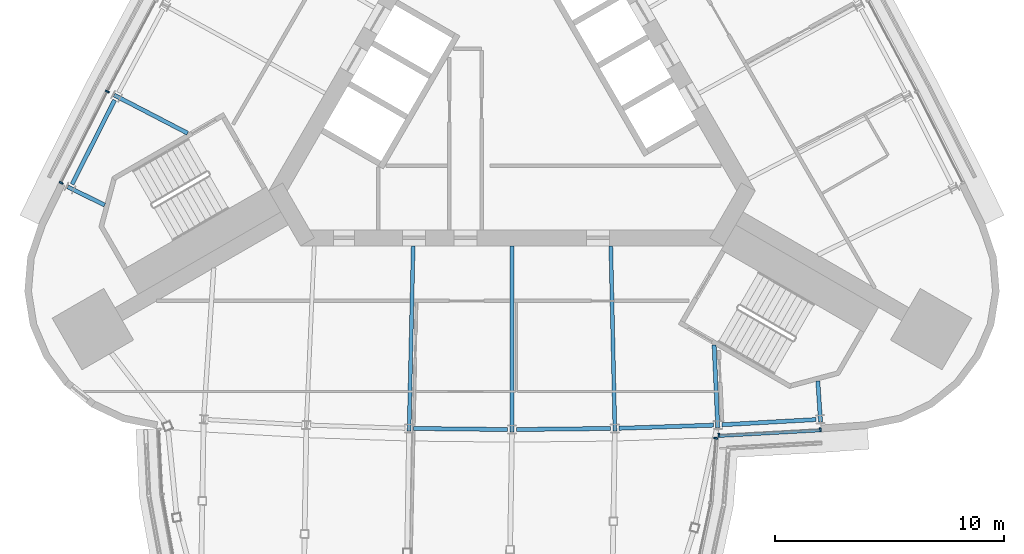
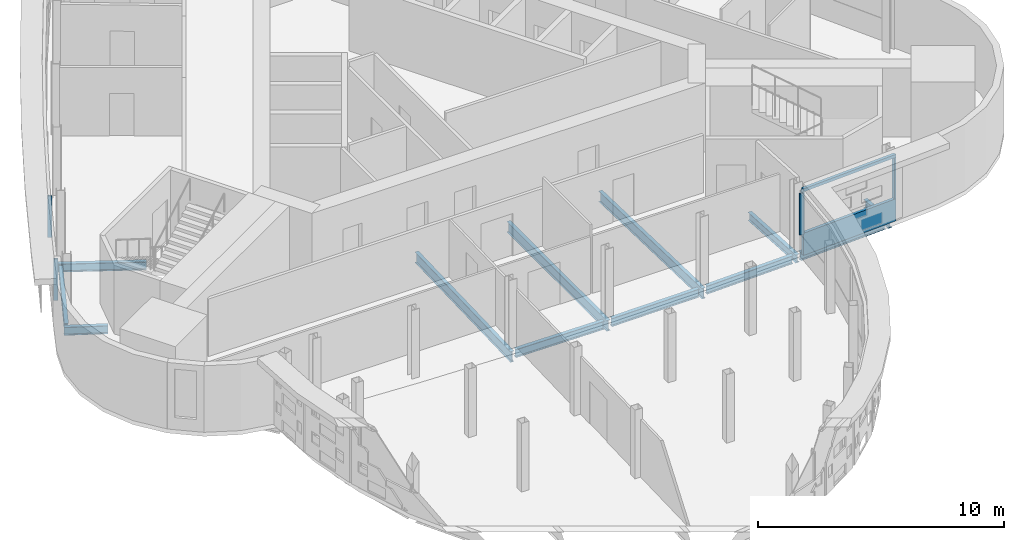
# One storey, part 4 of 14: 12 beams, 7 members, 3 elements without a shape of their own.
"""IFC4 building model written with IfcOpenShell, lengths in metres."""

from ifc_helpers import new_model, si_unit, direction, frame, origin, origin_2d, place, context, subcontext, project, spatial, polyline, rectangle, i_section, outline, extrude, material, material_profile, profile_set, type_object, element, aggregate, save


model = new_model("IFC4")

# Units and contexts
model_context = context("Model", 3, precision=1e-05, world=origin(), true_north=direction((0.0, 1.0)))
body_context = subcontext(model_context, "Body", "Model", "MODEL_VIEW")
ifc_project = project(units=[si_unit("LENGTHUNIT", "METRE"), si_unit("AREAUNIT", "SQUARE_METRE"), si_unit("VOLUMEUNIT", "CUBIC_METRE"), si_unit("PLANEANGLEUNIT", "RADIAN"), si_unit("MASSUNIT", "GRAM", prefix="KILO")], contexts=[model_context])

# Site, building, storey
site_placement = place(None, origin())
site = spatial("IfcSite", under=ifc_project, at=site_placement, CompositionType="ELEMENT")
building_placement = place(site_placement, origin())
building = spatial("IfcBuilding", under=site, at=building_placement, Name="Noor Cloister Tower", CompositionType="ELEMENT")
storey_placement = place(building_placement, frame((0.0, 0.0, 218.39990234375)))
storey = spatial("IfcBuildingStorey", under=building, at=storey_placement, Name="L56", CompositionType="ELEMENT", Elevation=218.39990234375)

# Curtain wall, member
ifc_material_1 = material(Name="Aluminium 6063-T6 anodised", Category="aluminium")
curtain_wall_type_1 = type_object("IfcCurtainWallType", Name="Ribbon curtain wall, upper tower CW5", PredefinedType="NOTDEFINED", material=ifc_material_1)
curtain_wall_1_placement = place(storey_placement, origin())
curtain_wall_1 = element("IfcCurtainWall", 1, at=curtain_wall_1_placement, inside=storey, type_object=curtain_wall_type_1, Name="CW5 L56 S run 3", PredefinedType="NOTDEFINED")
ifc_material_2 = material(Name="Aluminium 6063-T6 anodised", Category="aluminium")
member_type_1 = type_object("IfcMemberType", Name="Head transom CW5 150", PredefinedType="USERDEFINED", material=ifc_material_2)
member_1_placement = place(storey_placement, frame((0.0, 0.0, 3.150146484375)))
member_1 = element("IfcMember", 2, at=member_1_placement, type_object=member_type_1, Name="CW5 head transom", ObjectType="TRANSOM", PredefinedType="USERDEFINED", context=body_context, shape_type="SweptSolid", body=[
    extrude(outline(polyline([(8.9970703125, -15.291259765625), (13.489990234375, -15.04248046875), (13.482421875, -14.902587890625), (8.9892578125, -15.151611328125), (8.9970703125, -15.291259765625)])), origin(), (0.0, 0.0, 1.0), 0.14990234375),
])

# Curtain wall, members
curtain_wall_2_placement = place(storey_placement, origin())
curtain_wall_2 = element("IfcCurtainWall", 3, at=curtain_wall_2_placement, inside=storey, type_object=curtain_wall_type_1, Name="CW5 L56 NW run 1", PredefinedType="NOTDEFINED")
ifc_material_3 = material(Name="Aluminium 6063-T6 anodised", Category="aluminium")
ifc_material_profile_1 = material_profile(ifc_material_3, rectangle(XDim=0.179931640625, YDim=0.070068359375, at=origin_2d()), Name="180 x 70 mullion")
ifc_profile_set_1 = profile_set([ifc_material_profile_1], Name="Aluminium 6063-T6 anodised")
member_type_2 = type_object("IfcMemberType", Name="Mullion CW5 70 x 180", PredefinedType="MULLION", material=ifc_profile_set_1)
member_2_placement = place(storey_placement, frame((-17.652587890625, -0.192138671875, 1.10009765625), z_axis=(0.0, 0.0, 1.0), x_axis=(0.887303238306, -0.461186473449, 0.0)))
member_2 = element("IfcMember", 4, at=member_2_placement, type_object=member_type_2, Name="CW5 mullion 6", PredefinedType="MULLION", context=body_context, shape_type="SweptSolid", body=[
    extrude(rectangle(XDim=0.179931640625, YDim=0.070068359375, at=origin_2d()), origin(), (0.0, 0.0, 1.0), 2.050048828125),
])
member_3_placement = place(storey_placement, frame((-19.667236328125, -4.175537109375, 1.10009765625), z_axis=(0.0, 0.0, 1.0), x_axis=(0.892352618471, -0.451338901833, 0.0)))
member_3 = element("IfcMember", 5, at=member_3_placement, type_object=member_type_2, Name="CW5 mullion 7", PredefinedType="MULLION", context=body_context, shape_type="SweptSolid", body=[
    extrude(rectangle(XDim=0.179931640625, YDim=0.070068359375, at=origin_2d()), origin(), (0.0, 0.0, 1.0), 2.050048828125),
])
aggregate(curtain_wall_2, [member_2, member_3])

# Member
member_4_placement = place(storey_placement, frame((9.0263671875, -15.189453125, 1.10009765625), z_axis=(0.0, 0.0, 1.0), x_axis=(-0.055305354532, 0.998469487646, 0.0)))
member_4 = element("IfcMember", 6, at=member_4_placement, type_object=member_type_2, Name="CW5 mullion 1", PredefinedType="MULLION", context=body_context, shape_type="SweptSolid", body=[
    extrude(rectangle(XDim=0.179931640625, YDim=0.070068359375, at=origin_2d()), origin(), (0.0, 0.0, 1.0), 2.050048828125),
])

member_5_placement = place(storey_placement, frame((13.44970703125, -14.944580078125, 1.10009765625), z_axis=(0.0, 0.0, 1.0), x_axis=(-0.055305354532, 0.998469487646, 0.0)))
member_5 = element("IfcMember", 7, at=member_5_placement, type_object=member_type_2, Name="CW5 mullion 2", PredefinedType="MULLION", context=body_context, shape_type="SweptSolid", body=[
    extrude(rectangle(XDim=0.179931640625, YDim=0.070068359375, at=origin_2d()), origin(), (0.0, 0.0, 1.0), 2.050048828125),
])

# Curtain wall, member
ifc_material_4 = material(Name="Aluminium 6063-T6 anodised", Category="aluminium")
curtain_wall_type_2 = type_object("IfcCurtainWallType", Name="Sky bar curtain wall, upper bars CW6", PredefinedType="NOTDEFINED", material=ifc_material_4)
curtain_wall_3_placement = place(storey_placement, origin())
curtain_wall_3 = element("IfcCurtainWall", 8, at=curtain_wall_3_placement, inside=storey, type_object=curtain_wall_type_2, Name="CW6 L56 S sky bar run 2", PredefinedType="NOTDEFINED")
ifc_material_5 = material(Name="Aluminium 6063-T6 anodised", Category="aluminium")
ifc_material_profile_2 = material_profile(ifc_material_5, rectangle(XDim=0.179931640625, YDim=0.070068359375, at=origin_2d()), Name="180 x 70 mullion")
ifc_profile_set_2 = profile_set([ifc_material_profile_2], Name="Aluminium 6063-T6 anodised")
member_type_3 = type_object("IfcMemberType", Name="Mullion CW6 70 x 180", PredefinedType="MULLION", material=ifc_profile_set_2)
member_6_placement = place(storey_placement, frame((8.89453125, -15.318115234375, 1.10009765625), z_axis=(0.0, 0.0, 1.0), x_axis=(-0.996727566111, 0.080834144736, 0.0)))
member_6 = element("IfcMember", 9, at=member_6_placement, type_object=member_type_3, Name="CW6 mullion 19", PredefinedType="MULLION", context=body_context, shape_type="SweptSolid", body=[
    extrude(rectangle(XDim=0.179931640625, YDim=0.070068359375, at=origin_2d()), origin(), (0.0, 0.0, 1.0), 2.050048828125),
])
aggregate(curtain_wall_3, [member_6])

# Beams
ifc_material_6 = material(Name="Steel ASTM A992 Gr 50", Category="steel")
ifc_material_profile_3 = material_profile(ifc_material_6, i_section(OverallWidth=0.177978515625, OverallDepth=0.406005859375, WebThickness=0.0078125, FlangeThickness=0.0126953125, FilletRadius=0.01025390625, at=origin_2d()), Name="W410x60")
ifc_profile_set_3 = profile_set([ifc_material_profile_3], Name="Steel ASTM A992 Gr 50")
beam_type_1 = type_object("IfcBeamType", Name="Radial beam W410x60", PredefinedType="BEAM", material=ifc_profile_set_3)
beam_1_placement = place(storey_placement, frame((-17.356201171875, -0.34619140625, -0.40283203125), z_axis=(0.887295423172, -0.461201509124, 0.0), x_axis=(0.461201509124, 0.887295423172, 0.0)))
element("IfcBeam", 10, at=beam_1_placement, inside=storey, type_object=beam_type_1, Name="Radial beam NW 06 L56", PredefinedType="BEAM", context=body_context, shape_type="SweptSolid", body=[
    extrude(i_section(OverallWidth=0.177978515625, OverallDepth=0.406005859375, WebThickness=0.0078125, FlangeThickness=0.0126953125, FilletRadius=0.01025390625, at=origin_2d()), origin(), (0.0, 0.0, 1.0), 3.609130859375),
])
beam_2_placement = place(storey_placement, frame((-19.3828125, -4.35302734375, -0.40283203125), z_axis=(0.897289957795, -0.441441651457, 0.0), x_axis=(0.441441651457, 0.897289957795, 0.0)))
element("IfcBeam", 11, at=beam_2_placement, inside=storey, type_object=beam_type_1, Name="Radial beam NW 07 L56", PredefinedType="BEAM", context=body_context, shape_type="SweptSolid", body=[
    extrude(i_section(OverallWidth=0.177978515625, OverallDepth=0.406005859375, WebThickness=0.0078125, FlangeThickness=0.0126953125, FilletRadius=0.01025390625, at=origin_2d()), origin(), (0.0, 0.0, 1.0), 1.79638671875),
])
beam_3_placement = place(storey_placement, frame((8.977783203125, -14.857666015625, -0.40283203125), z_axis=(-0.044241579343, 0.999020861973, 0.0), x_axis=(-0.999020861973, -0.044241579343, 0.0)))
element("IfcBeam", 12, at=beam_3_placement, inside=storey, type_object=beam_type_1, Name="Radial beam S 06 L56", PredefinedType="BEAM", context=body_context, shape_type="SweptSolid", body=[
    extrude(i_section(OverallWidth=0.177978515625, OverallDepth=0.406005859375, WebThickness=0.0078125, FlangeThickness=0.0126953125, FilletRadius=0.01025390625, at=origin_2d()), origin(), (0.0, 0.0, 1.0), 3.60888671875),
])
beam_4_placement = place(storey_placement, frame((13.461181640625, -14.609375, -0.40283203125), z_axis=(-0.066329561589, 0.997797769721, 0.0), x_axis=(-0.997797769721, -0.066329561589, 0.0)))
element("IfcBeam", 13, at=beam_4_placement, inside=storey, type_object=beam_type_1, Name="Radial beam S 07 L56", PredefinedType="BEAM", context=body_context, shape_type="SweptSolid", body=[
    extrude(i_section(OverallWidth=0.177978515625, OverallDepth=0.406005859375, WebThickness=0.0078125, FlangeThickness=0.0126953125, FilletRadius=0.01025390625, at=origin_2d()), origin(), (0.0, 0.0, 1.0), 1.796142578125),
])
ifc_material_7 = material(Name="Steel ASTM A992 Gr 50", Category="steel")
ifc_material_profile_4 = material_profile(ifc_material_7, i_section(OverallWidth=0.166015625, OverallDepth=0.528076171875, WebThickness=0.009765625, FlangeThickness=0.013671875, FilletRadius=0.0126953125, at=origin_2d()), Name="W530x74")
ifc_profile_set_4 = profile_set([ifc_material_profile_4], Name="Steel ASTM A992 Gr 50")
beam_type_2 = type_object("IfcBeamType", Name="Radial beam W530x74", PredefinedType="BEAM", material=ifc_profile_set_4)
beam_5_placement = place(storey_placement, frame((-4.489990234375, -15.0068359375, -0.4638671875), z_axis=(0.022116076152, 0.999755409676, 0.0), x_axis=(-0.999755409676, 0.022116076152, 0.0)))
element("IfcBeam", 14, at=beam_5_placement, inside=storey, type_object=beam_type_2, Name="Radial beam S 03 L56", PredefinedType="BEAM", context=body_context, shape_type="SweptSolid", body=[
    extrude(i_section(OverallWidth=0.166015625, OverallDepth=0.528076171875, WebThickness=0.009765625, FlangeThickness=0.013671875, FilletRadius=0.0126953125, at=origin_2d()), origin(), (0.0, 0.0, 1.0), 8.08056640625),
])
beam_6_placement = place(storey_placement, frame((0.0, -15.056396484375, -0.4638671875), z_axis=(0.0, 1.0, 0.0), x_axis=(-1.0, 0.0, 0.0)))
element("IfcBeam", 15, at=beam_6_placement, inside=storey, type_object=beam_type_2, Name="Radial beam S 04 L56", PredefinedType="BEAM", context=body_context, shape_type="SweptSolid", body=[
    extrude(i_section(OverallWidth=0.166015625, OverallDepth=0.528076171875, WebThickness=0.009765625, FlangeThickness=0.013671875, FilletRadius=0.0126953125, at=origin_2d()), origin(), (0.0, 0.0, 1.0), 8.128173828125),
])
beam_7_placement = place(storey_placement, frame((4.489990234375, -15.0068359375, -0.4638671875), z_axis=(-0.022116076152, 0.999755409676, 0.0), x_axis=(-0.999755409676, -0.022116076152, 0.0)))
element("IfcBeam", 16, at=beam_7_placement, inside=storey, type_object=beam_type_2, Name="Radial beam S 05 L56", PredefinedType="BEAM", context=body_context, shape_type="SweptSolid", body=[
    extrude(i_section(OverallWidth=0.166015625, OverallDepth=0.528076171875, WebThickness=0.009765625, FlangeThickness=0.013671875, FilletRadius=0.0126953125, at=origin_2d()), origin(), (0.0, 0.0, 1.0), 8.08056640625),
])

# Member
ifc_material_8 = material(Name="Aluminium 6063-T6 anodised", Category="aluminium")
member_type_4 = type_object("IfcMemberType", Name="Sill transom CW5 1100", PredefinedType="USERDEFINED", material=ifc_material_8)
member_7_placement = place(storey_placement, origin())
member_7 = element("IfcMember", 17, at=member_7_placement, type_object=member_type_4, Name="CW5 sill transom", ObjectType="TRANSOM", PredefinedType="USERDEFINED", context=body_context, shape_type="SweptSolid", body=[
    extrude(outline(polyline([(8.9970703125, -15.291259765625), (13.489990234375, -15.04248046875), (13.482421875, -14.902587890625), (8.9892578125, -15.151611328125), (8.9970703125, -15.291259765625)])), origin(), (0.0, 0.0, 1.0), 1.10009765625),
])

aggregate(curtain_wall_1, [member_4, member_5, member_7, member_1])

# Beams
ifc_material_9 = material(Name="Steel ASTM A992 Gr 50", Category="steel")
ifc_material_profile_5 = material_profile(ifc_material_9, i_section(OverallWidth=0.177978515625, OverallDepth=0.406005859375, WebThickness=0.0078125, FlangeThickness=0.0126953125, FilletRadius=0.01025390625, at=origin_2d()), Name="W410x60")
ifc_profile_set_5 = profile_set([ifc_material_profile_5], Name="Steel ASTM A992 Gr 50")
beam_type_3 = type_object("IfcBeamType", Name="Spandrel beam W410x60", PredefinedType="SPANDREL", material=ifc_profile_set_5)
beam_8_placement = place(storey_placement, frame((-17.33740234375, -0.566162109375, -0.40283203125), z_axis=(-0.451362231773, -0.892340818146, 0.0), x_axis=(0.892340818146, -0.451362231773, 0.0)))
element("IfcBeam", 18, at=beam_8_placement, inside=storey, type_object=beam_type_3, Name="Spandrel beam NW 06 L56", PredefinedType="SPANDREL", context=body_context, shape_type="SweptSolid", body=[
    extrude(i_section(OverallWidth=0.177978515625, OverallDepth=0.406005859375, WebThickness=0.0078125, FlangeThickness=0.0126953125, FilletRadius=0.01025390625, at=origin_2d()), origin(), (0.0, 0.0, 1.0), 4.114501953125),
])
for number, where, z_axis, x_axis, name in (
    (19, (-4.301025390625, -14.892822265625, -0.40283203125), (0.999938445661, -0.011095264305, 0.0), (0.011095264305, 0.999938445661, 0.0), "Spandrel beam S 03 L56"),
    (20, (0.1865234375, -14.9384765625, -0.40283203125), (0.999938445661, 0.011095264305, 0.0), (-0.011095264305, 0.999938445661, 0.0), "Spandrel beam S 04 L56"),
    (21, (4.673828125, -14.884765625, -0.40283203125), (0.999447866334, 0.033225930849, 0.0), (-0.033225930849, 0.999447866334, 0.0), "Spandrel beam S 05 L56"),
    (22, (9.158935546875, -14.7314453125, -0.40283203125), (0.998469831997, 0.055299137356, 0.0), (-0.055299137356, 0.998469831997, 0.0), "Spandrel beam S 06 L56"),
):
    element("IfcBeam", number, at=place(storey_placement, frame(where, z_axis=z_axis, x_axis=x_axis)), inside=storey, type_object=beam_type_3, Name=name, PredefinedType="SPANDREL", context=body_context, shape_type="SweptSolid", body=[
        extrude(i_section(OverallWidth=0.177978515625, OverallDepth=0.406005859375, WebThickness=0.0078125, FlangeThickness=0.0126953125, FilletRadius=0.01025390625, at=origin_2d()), origin(), (0.0, 0.0, 1.0), 4.11474609375),
    ])

save(model, "model.ifc")
